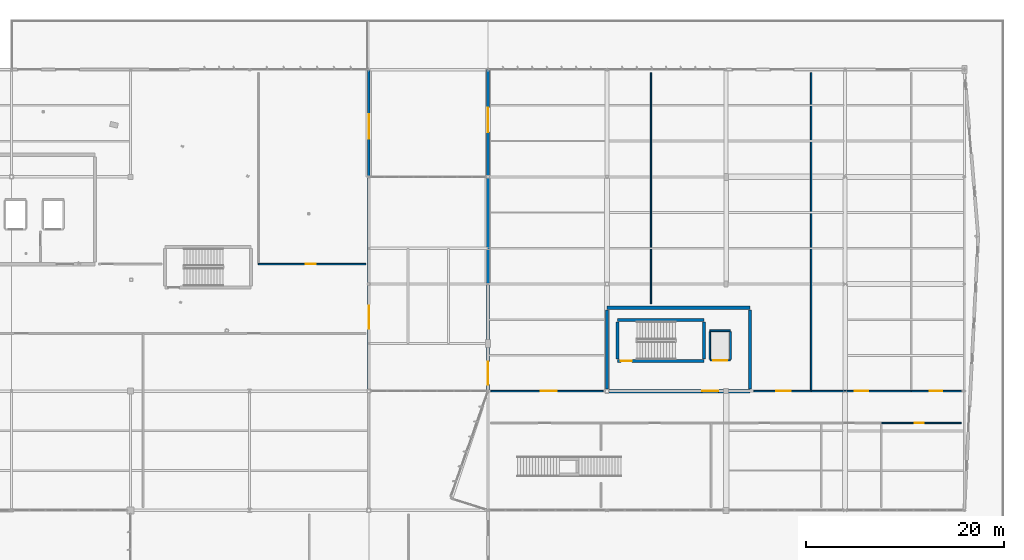
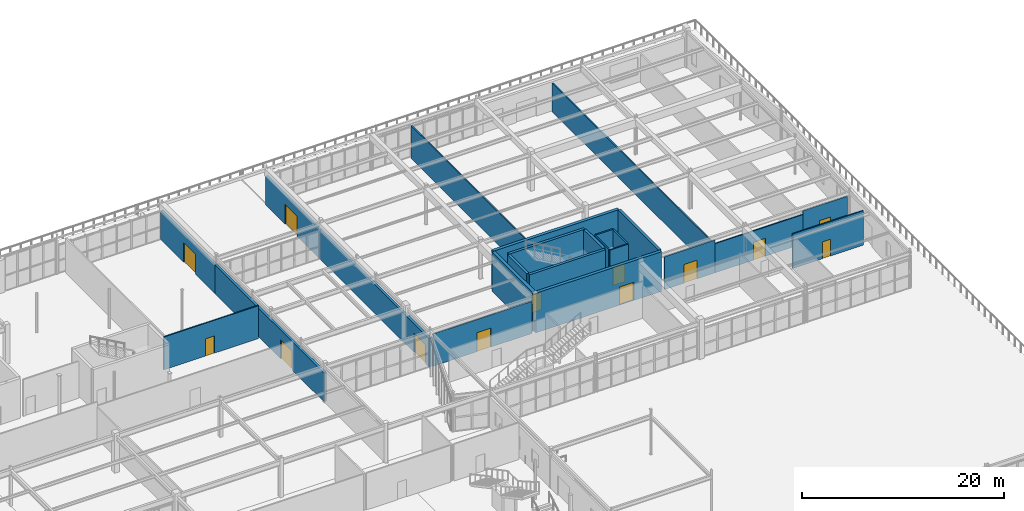
# One storey, part 171 of 199: 24 walls, 13 doors, 13 openings.
"""IFC4 building model written with IfcOpenShell, lengths in metres."""

from ifc_helpers import new_model, si_unit, direction, frame, frame_2d, origin, place, context, subcontext, project, spatial, rectangle, extrude, material, layer, layer_set, type_object, element, fill, save


model = new_model("IFC4")

# Units and contexts
model_context = context("Model", 3, precision=1e-05, world=origin(), true_north=direction((0.0, 1.0)))
body_context = subcontext(model_context, "Body", "Model", "MODEL_VIEW")
ifc_project = project(units=[si_unit("LENGTHUNIT", "METRE"), si_unit("AREAUNIT", "SQUARE_METRE"), si_unit("VOLUMEUNIT", "CUBIC_METRE"), si_unit("PLANEANGLEUNIT", "RADIAN"), si_unit("MASSUNIT", "GRAM", prefix="KILO")], contexts=[model_context])

# Site, building, storey
site_placement = place(None, origin())
site = spatial("IfcSite", under=ifc_project, at=site_placement, CompositionType="ELEMENT")
building_placement = place(site_placement, origin())
building = spatial("IfcBuilding", under=site, at=building_placement, Name="Tarnwether General Hospital", CompositionType="ELEMENT")
storey_placement = place(building_placement, origin())
storey = spatial("IfcBuildingStorey", under=building, at=storey_placement, Name="L00", CompositionType="ELEMENT", Elevation=0.0)

# Wall, opening, door
ifc_material_1 = material(Name="Precast concrete 40 MPa", Category="concrete")
ifc_layer_1 = layer(ifc_material_1, 0.280029296875)
ifc_layer_set_1 = layer_set([ifc_layer_1], Name="Precast concrete 40 MPa")
wall_type_1 = type_object("IfcWallType", Name="WL-EX280", PredefinedType="STANDARD", material=ifc_layer_set_1)
wall_1_placement = place(storey_placement, frame((132.0, 115.199951171875, 0.0), z_axis=(0.0, 0.0, 1.0), x_axis=(0.0, -1.0, 0.0)))
wall_1 = element("IfcWall", 1, at=wall_1_placement, inside=storey, type_object=wall_type_1, Name="L00 V4 East Court Wall EW-L00-0300", PredefinedType="STANDARD", context=body_context, shape_type="SweptSolid", body=[
    extrude(rectangle(XDim=21.599853515625, YDim=0.280029296875, at=frame_2d((10.7998046875, 0.0))), origin(), (0.0, 0.0, 1.0), 3.47998046875),
])
opening_1_placement = place(wall_1_placement, frame((13.0, 0.0, 0.0)))
opening_1 = element("IfcOpeningElement", 2, at=opening_1_placement, cuts=wall_1, Name="Opening ED-02", PredefinedType="OPENING", context=body_context, shape_type="SweptSolid", body=[
    extrude(rectangle(XDim=2.300048828125, YDim=2.300048828125, at=frame_2d((1.14990234375, 1.14990234375))), frame((0.0, 0.14990234375, 0.0), z_axis=(0.0, -1.0, 0.0), x_axis=(1.0, 0.0, 0.0)), (0.0, 0.0, 1.0), 0.300048828125),
])
ifc_material_2 = material(Name="Anodised aluminium", Category="aluminium")
door_type_1 = type_object("IfcDoorType", Name="DR-EX02", OperationType="NOTDEFINED", PredefinedType="DOOR", material=ifc_material_2)
door_1_placement = place(opening_1_placement, origin())
door_1 = element("IfcDoor", 3, at=door_1_placement, inside=storey, type_object=door_type_1, Name="L00 Public Passage West Portal Door ED-L00-0029", OperationType="DOUBLE_DOOR_SINGLE_SWING", OverallHeight=2.300048828125, OverallWidth=2.300048828125, PredefinedType="DOOR", context=body_context, shape_type="SweptSolid", body=[
    extrude(rectangle(XDim=2.300048828125, YDim=2.300048828125, at=frame_2d((1.14990234375, 1.14990234375))), frame((0.0, 0.02490234375, 0.0), z_axis=(0.0, -1.0, 0.0), x_axis=(1.0, 0.0, 0.0)), (0.0, 0.0, 1.0), 0.050048828125),
])
fill(opening_1, door_1)

wall_2_placement = place(storey_placement, frame((144.0, 93.60009765625, 0.0), z_axis=(0.0, 0.0, 1.0), x_axis=(0.0, 1.0, 0.0)))
wall_2 = element("IfcWall", 4, at=wall_2_placement, inside=storey, type_object=wall_type_1, Name="L00 V6 West Court Wall EW-L00-0301", PredefinedType="STANDARD", context=body_context, shape_type="SweptSolid", body=[
    extrude(rectangle(XDim=21.599853515625, YDim=0.280029296875, at=frame_2d((10.7998046875, 0.0))), origin(), (0.0, 0.0, 1.0), 3.47998046875),
])
opening_2_placement = place(wall_2_placement, frame((0.672119140625, 0.0, 0.0)))
opening_2 = element("IfcOpeningElement", 5, at=opening_2_placement, cuts=wall_2, Name="Opening ED-02", PredefinedType="OPENING", context=body_context, shape_type="SweptSolid", body=[
    extrude(rectangle(XDim=2.300048828125, YDim=2.300048828125, at=frame_2d((1.14990234375, 1.14990234375))), frame((0.0, 0.14990234375, 0.0), z_axis=(0.0, -1.0, 0.0), x_axis=(1.0, 0.0, 0.0)), (0.0, 0.0, 1.0), 0.300048828125),
])
door_2_placement = place(opening_2_placement, origin())
door_2 = element("IfcDoor", 6, at=door_2_placement, inside=storey, type_object=door_type_1, Name="L00 Public Passage East Portal Door ED-L00-0030", OperationType="DOUBLE_DOOR_SINGLE_SWING", OverallHeight=2.300048828125, OverallWidth=2.300048828125, PredefinedType="DOOR", context=body_context, shape_type="SweptSolid", body=[
    extrude(rectangle(XDim=2.300048828125, YDim=2.300048828125, at=frame_2d((1.14990234375, 1.14990234375))), frame((0.0, 0.02490234375, 0.0), z_axis=(0.0, -1.0, 0.0), x_axis=(1.0, 0.0, 0.0)), (0.0, 0.0, 1.0), 0.050048828125),
])
fill(opening_2, door_2)

wall_3_placement = place(storey_placement, frame((132.0, 126.0, 0.0), z_axis=(0.0, 0.0, 1.0), x_axis=(0.0, -1.0, 0.0)))
wall_3 = element("IfcWall", 7, at=wall_3_placement, inside=storey, type_object=wall_type_1, Name="L00 V4 East Court Wall EW-L00-0302", PredefinedType="STANDARD", context=body_context, shape_type="SweptSolid", body=[
    extrude(rectangle(XDim=10.800048828125, YDim=0.280029296875, at=frame_2d((5.39990234375, 0.0))), origin(), (0.0, 0.0, 1.0), 3.47998046875),
])
opening_3_placement = place(wall_3_placement, frame((4.5, 0.0, 0.0)))
opening_3 = element("IfcOpeningElement", 8, at=opening_3_placement, cuts=wall_3, Name="Opening ED-01", PredefinedType="OPENING", context=body_context, shape_type="SweptSolid", body=[
    extrude(rectangle(XDim=2.4599609375, YDim=2.39990234375, at=frame_2d((1.22998046875, 1.199951171875))), frame((0.0, 0.14990234375, 0.0), z_axis=(0.0, -1.0, 0.0), x_axis=(1.0, 0.0, 0.0)), (0.0, 0.0, 1.0), 0.300048828125),
])
ifc_material_3 = material(Name="Anodised aluminium", Category="aluminium")
door_type_2 = type_object("IfcDoorType", Name="DR-EX01", OperationType="NOTDEFINED", PredefinedType="DOOR", material=ifc_material_3)
door_3_placement = place(opening_3_placement, origin())
door_3 = element("IfcDoor", 9, at=door_3_placement, inside=storey, type_object=door_type_2, Name="L00 Public Passage West Portal Door ED-L00-0031", OperationType="DOUBLE_DOOR_SINGLE_SWING", OverallHeight=2.39990234375, OverallWidth=2.4599609375, PredefinedType="DOOR", context=body_context, shape_type="SweptSolid", body=[
    extrude(rectangle(XDim=2.4599609375, YDim=2.39990234375, at=frame_2d((1.22998046875, 1.199951171875))), frame((0.0, 0.02490234375, 0.0), z_axis=(0.0, -1.0, 0.0), x_axis=(1.0, 0.0, 0.0)), (0.0, 0.0, 1.0), 0.050048828125),
])
fill(opening_3, door_3)

wall_4_placement = place(storey_placement, frame((144.0, 115.199951171875, 0.0), z_axis=(0.0, 0.0, 1.0), x_axis=(0.0, 1.0, 0.0)))
wall_4 = element("IfcWall", 10, at=wall_4_placement, inside=storey, type_object=wall_type_1, Name="L00 V6 West Court Wall EW-L00-0303", PredefinedType="STANDARD", context=body_context, shape_type="SweptSolid", body=[
    extrude(rectangle(XDim=10.800048828125, YDim=0.280029296875, at=frame_2d((5.39990234375, 0.0))), origin(), (0.0, 0.0, 1.0), 3.47998046875),
])
opening_4_placement = place(wall_4_placement, frame((4.5, 0.0, 0.0)))
opening_4 = element("IfcOpeningElement", 11, at=opening_4_placement, cuts=wall_4, Name="Opening ED-01", PredefinedType="OPENING", context=body_context, shape_type="SweptSolid", body=[
    extrude(rectangle(XDim=2.4599609375, YDim=2.39990234375, at=frame_2d((1.22998046875, 1.199951171875))), frame((0.0, 0.14990234375, 0.0), z_axis=(0.0, -1.0, 0.0), x_axis=(1.0, 0.0, 0.0)), (0.0, 0.0, 1.0), 0.300048828125),
])
door_4_placement = place(opening_4_placement, origin())
door_4 = element("IfcDoor", 12, at=door_4_placement, inside=storey, type_object=door_type_2, Name="L00 Public Passage East Portal Door ED-L00-0032", OperationType="DOUBLE_DOOR_SINGLE_SWING", OverallHeight=2.39990234375, OverallWidth=2.4599609375, PredefinedType="DOOR", context=body_context, shape_type="SweptSolid", body=[
    extrude(rectangle(XDim=2.4599609375, YDim=2.39990234375, at=frame_2d((1.22998046875, 1.199951171875))), frame((0.0, 0.02490234375, 0.0), z_axis=(0.0, -1.0, 0.0), x_axis=(1.0, 0.0, 0.0)), (0.0, 0.0, 1.0), 0.050048828125),
])
fill(opening_4, door_4)

ifc_material_4 = material(Name="Gypsum plasterboard")
ifc_layer_2 = layer(ifc_material_4, 0.139892578125)
ifc_layer_set_2 = layer_set([ifc_layer_2], Name="Gypsum plasterboard")
wall_type_2 = type_object("IfcWallType", Name="WL-PT140", PredefinedType="PARTITIONING", material=ifc_layer_set_2)
wall_5_placement = place(storey_placement, frame((120.882080078125, 106.39990234375, 0.0), z_axis=(0.0, 0.0, 1.0), x_axis=(1.0, 0.0, 0.0)))
wall_5 = element("IfcWall", 13, at=wall_5_placement, inside=storey, type_object=wall_type_2, Name="Interior Partition PT-L00-0129", PredefinedType="PARTITIONING", context=body_context, shape_type="SweptSolid", body=[
    extrude(rectangle(XDim=10.81787109375, YDim=0.139892578125, at=frame_2d((5.408935546875, 0.0))), origin(), (0.0, 0.0, 1.0), 3.97607421875),
])
opening_5_placement = place(wall_5_placement, frame((4.759033203125, 0.0, 0.0)))
opening_5 = element("IfcOpeningElement", 14, at=opening_5_placement, cuts=wall_5, Name="Opening D-09", PredefinedType="OPENING", context=body_context, shape_type="SweptSolid", body=[
    extrude(rectangle(XDim=1.02001953125, YDim=2.080078125, at=frame_2d((0.510009765625, 1.0400390625))), frame((0.0, 0.080078125, 0.0), z_axis=(0.0, -1.0, 0.0), x_axis=(1.0, 0.0, 0.0)), (0.0, 0.0, 1.0), 0.159912109375),
])
ifc_material_5 = material(Name="Anodised aluminium", Category="aluminium")
door_type_3 = type_object("IfcDoorType", Name="DR-IN09", OperationType="NOTDEFINED", PredefinedType="DOOR", material=ifc_material_5)
door_5_placement = place(opening_5_placement, origin())
door_5 = element("IfcDoor", 15, at=door_5_placement, inside=storey, type_object=door_type_3, Name="Interior Door DR-L00-0072", OperationType="SINGLE_SWING_RIGHT", OverallHeight=2.080078125, OverallWidth=1.02001953125, PredefinedType="DOOR", context=body_context, shape_type="SweptSolid", body=[
    extrude(rectangle(XDim=1.02001953125, YDim=2.080078125, at=frame_2d((0.510009765625, 1.0400390625))), frame((0.0, 0.02490234375, 0.0), z_axis=(0.0, -1.0, 0.0), x_axis=(1.0, 0.0, 0.0)), (0.0, 0.0, 1.0), 0.050048828125),
])
fill(opening_5, door_5)

wall_6_placement = place(storey_placement, frame((183.632080078125, 90.39990234375, 0.0), z_axis=(0.0, 0.0, 1.0), x_axis=(1.0, 0.0, 0.0)))
wall_6 = element("IfcWall", 16, at=wall_6_placement, inside=storey, type_object=wall_type_2, Name="Interior Partition PT-L00-0155", PredefinedType="PARTITIONING", context=body_context, shape_type="SweptSolid", body=[
    extrude(rectangle(XDim=8.06787109375, YDim=0.139892578125, at=frame_2d((4.033935546875, 0.0))), origin(), (0.0, 0.0, 1.0), 4.179931640625),
])
opening_6_placement = place(wall_6_placement, frame((3.384033203125, 0.0, 0.0)))
opening_6 = element("IfcOpeningElement", 17, at=opening_6_placement, cuts=wall_6, Name="Opening D-12", PredefinedType="OPENING", context=body_context, shape_type="SweptSolid", body=[
    extrude(rectangle(XDim=0.919921875, YDim=2.0400390625, at=frame_2d((0.4599609375, 1.02001953125))), frame((0.0, 0.080078125, 0.0), z_axis=(0.0, -1.0, 0.0), x_axis=(1.0, 0.0, 0.0)), (0.0, 0.0, 1.0), 0.159912109375),
])
ifc_material_6 = material(Name="Anodised aluminium", Category="aluminium")
door_type_4 = type_object("IfcDoorType", Name="DR-IN12", OperationType="NOTDEFINED", PredefinedType="DOOR", material=ifc_material_6)
door_6_placement = place(opening_6_placement, origin())
door_6 = element("IfcDoor", 18, at=door_6_placement, inside=storey, type_object=door_type_4, Name="Interior Door DR-L00-0086", OperationType="SINGLE_SWING_RIGHT", OverallHeight=2.0400390625, OverallWidth=0.919921875, PredefinedType="DOOR", context=body_context, shape_type="SweptSolid", body=[
    extrude(rectangle(XDim=0.919921875, YDim=2.0400390625, at=frame_2d((0.4599609375, 1.02001953125))), frame((0.0, 0.02490234375, 0.0), z_axis=(0.0, -1.0, 0.0), x_axis=(1.0, 0.0, 0.0)), (0.0, 0.0, 1.0), 0.050048828125),
])
fill(opening_6, door_6)

wall_7_placement = place(storey_placement, frame((144.300048828125, 93.60009765625, 0.0), z_axis=(0.0, 0.0, 1.0), x_axis=(1.0, 0.0, 0.0)))
wall_7 = element("IfcWall", 19, at=wall_7_placement, inside=storey, type_object=wall_type_2, Name="Interior Partition PT-L00-0156", PredefinedType="PARTITIONING", context=body_context, shape_type="SweptSolid", body=[
    extrude(rectangle(XDim=11.300048828125, YDim=0.139892578125, at=frame_2d((5.64990234375, 0.0))), origin(), (0.0, 0.0, 1.0), 3.89697265625),
])
opening_7_placement = place(wall_7_placement, frame((5.0, 0.0, 0.0)))
opening_7 = element("IfcOpeningElement", 20, at=opening_7_placement, cuts=wall_7, Name="Opening SD-02", PredefinedType="OPENING", context=body_context, shape_type="SweptSolid", body=[
    extrude(rectangle(XDim=1.6201171875, YDim=2.300048828125, at=frame_2d((0.81005859375, 1.14990234375))), frame((0.0, 0.080078125, 0.0), z_axis=(0.0, -1.0, 0.0), x_axis=(1.0, 0.0, 0.0)), (0.0, 0.0, 1.0), 0.159912109375),
])
ifc_material_7 = material(Name="Anodised aluminium", Category="aluminium")
door_type_5 = type_object("IfcDoorType", Name="DR-OR02", OperationType="NOTDEFINED", PredefinedType="DOOR", material=ifc_material_7)
door_7_placement = place(opening_7_placement, origin())
door_7 = element("IfcDoor", 21, at=door_7_placement, inside=storey, type_object=door_type_5, Name="Interior Door DR-L00-0087", OperationType="SLIDING_TO_RIGHT", OverallHeight=2.300048828125, OverallWidth=1.6201171875, PredefinedType="DOOR", context=body_context, shape_type="SweptSolid", body=[
    extrude(rectangle(XDim=1.6201171875, YDim=2.300048828125, at=frame_2d((0.81005859375, 1.14990234375))), frame((0.0, 0.02490234375, 0.0), z_axis=(0.0, -1.0, 0.0), x_axis=(1.0, 0.0, 0.0)), (0.0, 0.0, 1.0), 0.050048828125),
])
fill(opening_7, door_7)

# Wall
wall_8_placement = place(storey_placement, frame((160.43603515625, 102.39990234375, 0.0), z_axis=(0.0, 0.0, 1.0), x_axis=(0.0, 1.0, 0.0)))
element("IfcWall", 22, at=wall_8_placement, inside=storey, type_object=wall_type_2, Name="Interior Partition PT-L00-0157", PredefinedType="PARTITIONING", context=body_context, shape_type="SweptSolid", body=[
    extrude(rectangle(XDim=23.300048828125, YDim=0.139892578125, at=frame_2d((11.64990234375, 0.0))), origin(), (0.0, 0.0, 1.0), 3.972900390625),
])

# Wall, opening, door
wall_9_placement = place(storey_placement, frame((170.800048828125, 93.60009765625, 0.0), z_axis=(0.0, 0.0, 1.0), x_axis=(1.0, 0.0, 0.0)))
wall_9 = element("IfcWall", 23, at=wall_9_placement, inside=storey, type_object=wall_type_2, Name="Interior Partition PT-L00-0158", PredefinedType="PARTITIONING", context=body_context, shape_type="SweptSolid", body=[
    extrude(rectangle(XDim=5.77197265625, YDim=0.139892578125, at=frame_2d((2.885986328125, 0.0))), origin(), (0.0, 0.0, 1.0), 3.972900390625),
])
opening_8_placement = place(wall_9_placement, frame((2.236083984375, 0.0, 0.0)))
opening_8 = element("IfcOpeningElement", 24, at=opening_8_placement, cuts=wall_9, Name="Opening SD-03", PredefinedType="OPENING", context=body_context, shape_type="SweptSolid", body=[
    extrude(rectangle(XDim=1.47998046875, YDim=2.260009765625, at=frame_2d((0.739990234375, 1.1298828125))), frame((0.0, 0.080078125, 0.0), z_axis=(0.0, -1.0, 0.0), x_axis=(1.0, 0.0, 0.0)), (0.0, 0.0, 1.0), 0.159912109375),
])
ifc_material_8 = material(Name="Anodised aluminium", Category="aluminium")
door_type_6 = type_object("IfcDoorType", Name="DR-OR03", OperationType="NOTDEFINED", PredefinedType="DOOR", material=ifc_material_8)
door_8_placement = place(opening_8_placement, origin())
door_8 = element("IfcDoor", 25, at=door_8_placement, inside=storey, type_object=door_type_6, Name="Interior Door DR-L00-0088", OperationType="SLIDING_TO_LEFT", OverallHeight=2.260009765625, OverallWidth=1.47998046875, PredefinedType="DOOR", context=body_context, shape_type="SweptSolid", body=[
    extrude(rectangle(XDim=1.47998046875, YDim=2.260009765625, at=frame_2d((0.739990234375, 1.1298828125))), frame((0.0, 0.02490234375, 0.0), z_axis=(0.0, -1.0, 0.0), x_axis=(1.0, 0.0, 0.0)), (0.0, 0.0, 1.0), 0.050048828125),
])
fill(opening_8, door_8)

# Wall
wall_10_placement = place(storey_placement, frame((176.572021484375, 93.60009765625, 0.0), z_axis=(0.0, 0.0, 1.0), x_axis=(0.0, 1.0, 0.0)))
element("IfcWall", 26, at=wall_10_placement, inside=storey, type_object=wall_type_2, Name="Interior Partition PT-L00-0159", PredefinedType="PARTITIONING", context=body_context, shape_type="SweptSolid", body=[
    extrude(rectangle(XDim=32.099853515625, YDim=0.139892578125, at=frame_2d((16.0498046875, 0.0))), origin(), (0.0, 0.0, 1.0), 3.47998046875),
])

# Wall, opening, door
wall_11_placement = place(storey_placement, frame((176.572021484375, 93.60009765625, 0.0), z_axis=(0.0, 0.0, 1.0), x_axis=(1.0, 0.0, 0.0)))
wall_11 = element("IfcWall", 27, at=wall_11_placement, inside=storey, type_object=wall_type_2, Name="Interior Partition PT-L00-0160", PredefinedType="PARTITIONING", context=body_context, shape_type="SweptSolid", body=[
    extrude(rectangle(XDim=10.0849609375, YDim=0.139892578125, at=frame_2d((5.04248046875, 0.0))), origin(), (0.0, 0.0, 1.0), 3.530029296875),
])
opening_9_placement = place(wall_11_placement, frame((4.39306640625, 0.0, 0.0)))
opening_9 = element("IfcOpeningElement", 28, at=opening_9_placement, cuts=wall_11, Name="Opening D-02", PredefinedType="OPENING", context=body_context, shape_type="SweptSolid", body=[
    extrude(rectangle(XDim=1.360107421875, YDim=2.179931640625, at=frame_2d((0.68017578125, 1.08984375))), frame((0.0, 0.080078125, 0.0), z_axis=(0.0, -1.0, 0.0), x_axis=(1.0, 0.0, 0.0)), (0.0, 0.0, 1.0), 0.159912109375),
])
ifc_material_9 = material(Name="Anodised aluminium", Category="aluminium")
door_type_7 = type_object("IfcDoorType", Name="DR-IN02", OperationType="NOTDEFINED", PredefinedType="DOOR", material=ifc_material_9)
door_9_placement = place(opening_9_placement, origin())
door_9 = element("IfcDoor", 29, at=door_9_placement, inside=storey, type_object=door_type_7, Name="Interior Door DR-L00-0089", OperationType="SINGLE_SWING_LEFT", OverallHeight=2.179931640625, OverallWidth=1.360107421875, PredefinedType="DOOR", context=body_context, shape_type="SweptSolid", body=[
    extrude(rectangle(XDim=1.360107421875, YDim=2.179931640625, at=frame_2d((0.68017578125, 1.08984375))), frame((0.0, 0.02490234375, 0.0), z_axis=(0.0, -1.0, 0.0), x_axis=(1.0, 0.0, 0.0)), (0.0, 0.0, 1.0), 0.050048828125),
])
fill(opening_9, door_9)

wall_12_placement = place(storey_placement, frame((186.656982421875, 93.60009765625, 0.0), z_axis=(0.0, 0.0, 1.0), x_axis=(1.0, 0.0, 0.0)))
wall_12 = element("IfcWall", 30, at=wall_12_placement, inside=storey, type_object=wall_type_2, Name="Interior Partition PT-L00-0162", PredefinedType="PARTITIONING", context=body_context, shape_type="SweptSolid", body=[
    extrude(rectangle(XDim=5.04296875, YDim=0.139892578125, at=frame_2d((2.521484375, 0.0))), origin(), (0.0, 0.0, 1.0), 3.97607421875),
])
opening_10_placement = place(wall_12_placement, frame((1.87109375, 0.0, 0.0)))
opening_10 = element("IfcOpeningElement", 31, at=opening_10_placement, cuts=wall_12, Name="Opening D-04", PredefinedType="OPENING", context=body_context, shape_type="SweptSolid", body=[
    extrude(rectangle(XDim=1.260009765625, YDim=2.139892578125, at=frame_2d((0.6298828125, 1.06982421875))), frame((0.0, 0.080078125, 0.0), z_axis=(0.0, -1.0, 0.0), x_axis=(1.0, 0.0, 0.0)), (0.0, 0.0, 1.0), 0.159912109375),
])
ifc_material_10 = material(Name="Anodised aluminium", Category="aluminium")
door_type_8 = type_object("IfcDoorType", Name="DR-IN04", OperationType="NOTDEFINED", PredefinedType="DOOR", material=ifc_material_10)
door_10_placement = place(opening_10_placement, origin())
door_10 = element("IfcDoor", 32, at=door_10_placement, inside=storey, type_object=door_type_8, Name="Interior Door DR-L00-0090", OperationType="SINGLE_SWING_RIGHT", OverallHeight=2.139892578125, OverallWidth=1.260009765625, PredefinedType="DOOR", context=body_context, shape_type="SweptSolid", body=[
    extrude(rectangle(XDim=1.260009765625, YDim=2.139892578125, at=frame_2d((0.6298828125, 1.06982421875))), frame((0.0, 0.02490234375, 0.0), z_axis=(0.0, -1.0, 0.0), x_axis=(1.0, 0.0, 0.0)), (0.0, 0.0, 1.0), 0.050048828125),
])
fill(opening_10, door_10)

ifc_material_11 = material(Name="Gypsum plasterboard")
ifc_layer_3 = layer(ifc_material_11, 0.159912109375)
ifc_layer_set_3 = layer_set([ifc_layer_3], Name="Gypsum plasterboard")
wall_type_3 = type_object("IfcWallType", Name="WL-PT160", PredefinedType="PARTITIONING", material=ifc_layer_set_3)
wall_13_placement = place(storey_placement, frame((166.360107421875, 96.7099609375, 0.0), z_axis=(0.0, 0.0, 1.0), x_axis=(1.0, 0.0, 0.0)))
wall_13 = element("IfcWall", 33, at=wall_13_placement, inside=storey, type_object=wall_type_3, Name="Lift L-06 Shaft Wall LSH-L-06-L00-S", PredefinedType="PARTITIONING", context=body_context, shape_type="SweptSolid", body=[
    extrude(rectangle(XDim=2.079833984375, YDim=0.159912109375, at=frame_2d((1.0400390625, 0.0))), origin(), (0.0, 0.0, 1.0), 4.445068359375),
])
opening_11_placement = place(wall_13_placement, frame((0.340087890625, 0.0, 0.0)))
opening_11 = element("IfcOpeningElement", 34, at=opening_11_placement, cuts=wall_13, Name="Opening LD-01", PredefinedType="OPENING", context=body_context, shape_type="SweptSolid", body=[
    extrude(rectangle(XDim=1.39990234375, YDim=2.199951171875, at=frame_2d((0.699951171875, 1.10009765625))), frame((0.0, 0.08984375, 0.0), z_axis=(0.0, -1.0, 0.0), x_axis=(1.0, 0.0, 0.0)), (0.0, 0.0, 1.0), 0.179931640625),
])
ifc_material_12 = material(Name="Anodised aluminium", Category="aluminium")
door_type_9 = type_object("IfcDoorType", Name="DR-LD01", OperationType="NOTDEFINED", PredefinedType="DOOR", material=ifc_material_12)
door_11_placement = place(opening_11_placement, origin())
door_11 = element("IfcDoor", 35, at=door_11_placement, inside=storey, type_object=door_type_9, Name="Lift L-06 Sliding Landing Door L00", OperationType="SLIDING_TO_LEFT", OverallHeight=2.199951171875, OverallWidth=1.39990234375, PredefinedType="DOOR", context=body_context, shape_type="SweptSolid", body=[
    extrude(rectangle(XDim=1.39990234375, YDim=2.199951171875, at=frame_2d((0.699951171875, 1.10009765625))), frame((0.0, 0.02490234375, 0.0), z_axis=(0.0, -1.0, 0.0), x_axis=(1.0, 0.0, 0.0)), (0.0, 0.0, 1.0), 0.050048828125),
])
fill(opening_11, door_11)

# Walls
wall_14_placement = place(storey_placement, frame((168.43994140625, 99.68994140625, 0.0), z_axis=(0.0, 0.0, 1.0), x_axis=(-1.0, 0.0, 0.0)))
element("IfcWall", 36, at=wall_14_placement, inside=storey, type_object=wall_type_3, Name="Lift L-06 Shaft Wall LSH-L-06-L00-N", PredefinedType="PARTITIONING", context=body_context, shape_type="SweptSolid", body=[
    extrude(rectangle(XDim=2.079833984375, YDim=0.159912109375, at=frame_2d((1.0400390625, 0.0))), origin(), (0.0, 0.0, 1.0), 4.445068359375),
])
for number, where, z_axis, x_axis, name in (
    (37, (166.360107421875, 99.590087890625, 0.0), (0.0, 0.0, 1.0), (0.0, -1.0, 0.0), "Lift L-06 Shaft Wall LSH-L-06-L00-W"),
    (38, (168.43994140625, 96.81005859375, 0.0), (0.0, 0.0, 1.0), (0.0, 1.0, 0.0), "Lift L-06 Shaft Wall LSH-L-06-L00-E"),
):
    element("IfcWall", number, at=place(storey_placement, frame(where, z_axis=z_axis, x_axis=x_axis)), inside=storey, type_object=wall_type_3, Name=name, PredefinedType="PARTITIONING", context=body_context, shape_type="SweptSolid", body=[
        extrude(rectangle(XDim=2.780029296875, YDim=0.159912109375, at=frame_2d((1.39013671875, 0.0))), origin(), (0.0, 0.0, 1.0), 4.445068359375),
    ])
ifc_material_13 = material(Name="Concrete 50 MPa", Category="concrete")
ifc_layer_4 = layer(ifc_material_13, 0.300048828125)
ifc_layer_set_4 = layer_set([ifc_layer_4], Name="Concrete 50 MPa")
wall_type_4 = type_object("IfcWallType", Name="WL-SW300", PredefinedType="SHEAR", material=ifc_layer_set_4)
wall_15_placement = place(storey_placement, frame((170.39990234375, 101.800048828125, 0.0), z_axis=(0.0, 0.0, 1.0), x_axis=(0.0, -1.0, 0.0)))
element("IfcWall", 39, at=wall_15_placement, inside=storey, type_object=wall_type_4, Name="Core Shear Wall CWALL-K6-L00-E", PredefinedType="SHEAR", context=body_context, shape_type="SweptSolid", body=[
    extrude(rectangle(XDim=8.0, YDim=0.300048828125, at=frame_2d((4.0, 0.0))), origin(), (0.0, 0.0, 1.0), 4.800048828125),
])

# Wall, opening, door
wall_16_placement = place(storey_placement, frame((157.050048828125, 96.64990234375, 0.0), z_axis=(0.0, 0.0, 1.0), x_axis=(1.0, 0.0, 0.0)))
wall_16 = element("IfcWall", 40, at=wall_16_placement, inside=storey, type_object=wall_type_4, Name="Stairwell Shear Wall STW-ST-06-L00-B", PredefinedType="SHEAR", context=body_context, shape_type="SweptSolid", body=[
    extrude(rectangle(XDim=8.699951171875, YDim=0.300048828125, at=frame_2d((4.35009765625, 0.0))), origin(), (0.0, 0.0, 1.0), 4.800048828125),
])
opening_12_placement = place(wall_16_placement, frame((0.35009765625, 0.0, 0.0)))
opening_12 = element("IfcOpeningElement", 41, at=opening_12_placement, cuts=wall_16, Name="Opening FD-06", PredefinedType="OPENING", context=body_context, shape_type="SweptSolid", body=[
    extrude(rectangle(XDim=1.10009765625, YDim=2.14990234375, at=frame_2d((0.550048828125, 1.074951171875))), frame((0.0, 0.16015625, 0.0), z_axis=(0.0, -1.0, 0.0), x_axis=(1.0, 0.0, 0.0)), (0.0, 0.0, 1.0), 0.320068359375),
])
ifc_material_14 = material(Name="Anodised aluminium", Category="aluminium")
door_type_10 = type_object("IfcDoorType", Name="DR-FD06", OperationType="NOTDEFINED", PredefinedType="DOOR", material=ifc_material_14)
door_12_placement = place(opening_12_placement, origin())
door_12 = element("IfcDoor", 42, at=door_12_placement, inside=storey, type_object=door_type_10, Name="Stairwell ST-06 Safe-Path Fire Door L00", OperationType="SINGLE_SWING_RIGHT", OverallHeight=2.14990234375, OverallWidth=1.10009765625, PredefinedType="DOOR", context=body_context, shape_type="SweptSolid", body=[
    extrude(rectangle(XDim=1.10009765625, YDim=2.14990234375, at=frame_2d((0.550048828125, 1.074951171875))), frame((0.0, 0.02490234375, 0.0), z_axis=(0.0, -1.0, 0.0), x_axis=(1.0, 0.0, 0.0)), (0.0, 0.0, 1.0), 0.050048828125),
])
fill(opening_12, door_12)

# Walls
wall_17_placement = place(storey_placement, frame((165.75, 100.75, 0.0), z_axis=(0.0, 0.0, 1.0), x_axis=(-1.0, 0.0, 0.0)))
element("IfcWall", 43, at=wall_17_placement, inside=storey, type_object=wall_type_4, Name="Stairwell Shear Wall STW-ST-06-L00-N", PredefinedType="SHEAR", context=body_context, shape_type="SweptSolid", body=[
    extrude(rectangle(XDim=8.699951171875, YDim=0.300048828125, at=frame_2d((4.35009765625, 0.0))), origin(), (0.0, 0.0, 1.0), 4.800048828125),
])
for number, where, z_axis, x_axis, name in (
    (44, (157.050048828125, 96.820068359375, 0.0), (0.0, 0.0, 1.0), (0.0, 1.0, 0.0), "Stairwell Shear Wall STW-ST-06-L00-L"),
    (45, (165.75, 96.820068359375, 0.0), (0.0, 0.0, 1.0), (0.0, 1.0, 0.0), "Stairwell Shear Wall STW-ST-06-L00-F"),
):
    element("IfcWall", number, at=place(storey_placement, frame(where, z_axis=z_axis, x_axis=x_axis)), inside=storey, type_object=wall_type_4, Name=name, PredefinedType="SHEAR", context=body_context, shape_type="SweptSolid", body=[
        extrude(rectangle(XDim=3.760009765625, YDim=0.300048828125, at=frame_2d((1.8798828125, 0.0))), origin(), (0.0, 0.0, 1.0), 4.800048828125),
    ])
ifc_material_15 = material(Name="Concrete 50 MPa", Category="concrete")
ifc_layer_5 = layer(ifc_material_15, 0.35009765625)
ifc_layer_set_5 = layer_set([ifc_layer_5], Name="Concrete 50 MPa")
wall_type_5 = type_object("IfcWallType", Name="WL-SW350", PredefinedType="SHEAR", material=ifc_layer_set_5)
wall_18_placement = place(storey_placement, frame((156.0, 102.0, 0.0), z_axis=(0.0, 0.0, 1.0), x_axis=(1.0, 0.0, 0.0)))
element("IfcWall", 46, at=wall_18_placement, inside=storey, type_object=wall_type_5, Name="Core Shear Wall CWALL-K6-L00-N", PredefinedType="SHEAR", context=body_context, shape_type="SweptSolid", body=[
    extrude(rectangle(XDim=14.39990234375, YDim=0.35009765625, at=frame_2d((7.199951171875, 0.0))), origin(), (0.0, 0.0, 1.0), 4.800048828125),
])

# Wall, opening, door
wall_19_placement = place(storey_placement, frame((170.39990234375, 93.60009765625, 0.0), z_axis=(0.0, 0.0, 1.0), x_axis=(-1.0, 0.0, 0.0)))
wall_19 = element("IfcWall", 47, at=wall_19_placement, inside=storey, type_object=wall_type_5, Name="Core Shear Wall CWALL-K6-L00-S", PredefinedType="SHEAR", context=body_context, shape_type="SweptSolid", body=[
    extrude(rectangle(XDim=14.39990234375, YDim=0.35009765625, at=frame_2d((7.199951171875, 0.0))), origin(), (0.0, 0.0, 1.0), 4.800048828125),
])
opening_13_placement = place(wall_19_placement, frame((3.172119140625, 0.0, 0.0)))
opening_13 = element("IfcOpeningElement", 48, at=opening_13_placement, cuts=wall_19, Name="Opening FD-01", PredefinedType="OPENING", context=body_context, shape_type="SweptSolid", body=[
    extrude(rectangle(XDim=1.639892578125, YDim=2.199951171875, at=frame_2d((0.81982421875, 1.10009765625))), frame((0.0, 0.18505859375, 0.0), z_axis=(0.0, -1.0, 0.0), x_axis=(1.0, 0.0, 0.0)), (0.0, 0.0, 1.0), 0.3701171875),
])
ifc_material_16 = material(Name="Anodised aluminium", Category="aluminium")
door_type_11 = type_object("IfcDoorType", Name="DR-FD01", OperationType="NOTDEFINED", PredefinedType="DOOR", material=ifc_material_16)
door_13_placement = place(opening_13_placement, origin())
door_13 = element("IfcDoor", 49, at=door_13_placement, inside=storey, type_object=door_type_11, Name="Core K6 Lobby Fire Door L00", OperationType="DOUBLE_DOOR_SINGLE_SWING", OverallHeight=2.199951171875, OverallWidth=1.639892578125, PredefinedType="DOOR", context=body_context, shape_type="SweptSolid", body=[
    extrude(rectangle(XDim=1.639892578125, YDim=2.199951171875, at=frame_2d((0.81982421875, 1.10009765625))), frame((0.0, 0.02490234375, 0.0), z_axis=(0.0, -1.0, 0.0), x_axis=(1.0, 0.0, 0.0)), (0.0, 0.0, 1.0), 0.050048828125),
])
fill(opening_13, door_13)

# Wall
wall_20_placement = place(storey_placement, frame((156.0, 93.800048828125, 0.0), z_axis=(0.0, 0.0, 1.0), x_axis=(0.0, 1.0, 0.0)))
element("IfcWall", 50, at=wall_20_placement, inside=storey, type_object=wall_type_5, Name="Core Shear Wall CWALL-K6-L00-W", PredefinedType="SHEAR", context=body_context, shape_type="SweptSolid", body=[
    extrude(rectangle(XDim=8.0, YDim=0.35009765625, at=frame_2d((4.0, 0.0))), origin(), (0.0, 0.0, 1.0), 4.800048828125),
])

save(model, "model.ifc")
